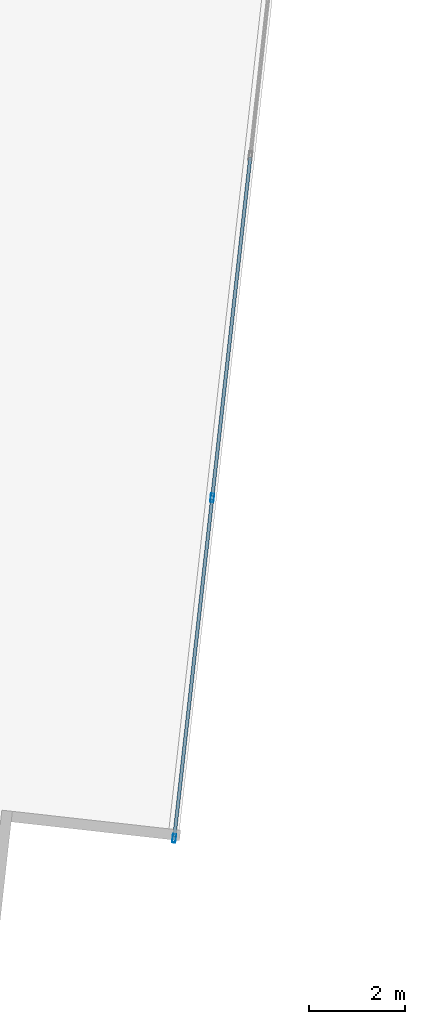
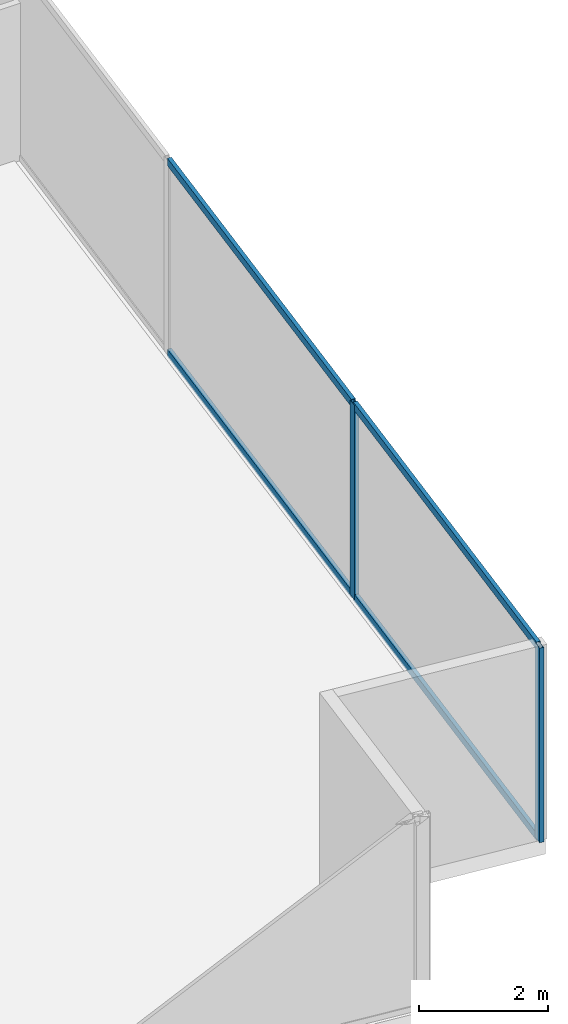
# One storey, part 12 of 31: 6 members, 1 element without a shape of its own.
"""IFC4 building model written with IfcOpenShell, lengths in metres."""

from ifc_helpers import new_model, si_unit, direction, frame, origin, origin_2d, place, context, subcontext, project, spatial, hollow_rectangle, extrude, source, transform, mapped, material, material_profile, profile_set, type_object, type_shapes, element, aggregate, save


model = new_model("IFC4")

# Units and contexts
model_context = context("Model", 3, precision=1e-05, world=origin(), true_north=direction((0.0, 1.0)))
body_context = subcontext(model_context, "Body", "Model", "MODEL_VIEW")
ifc_project = project(units=[si_unit("LENGTHUNIT", "METRE"), si_unit("AREAUNIT", "SQUARE_METRE"), si_unit("VOLUMEUNIT", "CUBIC_METRE"), si_unit("PLANEANGLEUNIT", "RADIAN"), si_unit("MASSUNIT", "GRAM", prefix="KILO")], contexts=[model_context])

# Site, building, storey
site_placement = place(None, origin())
site = spatial("IfcSite", under=ifc_project, at=site_placement, CompositionType="ELEMENT")
building_placement = place(site_placement, origin())
building = spatial("IfcBuilding", under=site, at=building_placement, Name="Krantzveldt Concourse Tower", CompositionType="ELEMENT")
storey_placement = place(building_placement, frame((0.0, 0.0, 56.60009765625)))
storey = spatial("IfcBuildingStorey", under=building, at=storey_placement, Name="L13", CompositionType="ELEMENT", Elevation=56.60009765625)

# Curtain wall, members
ifc_material = material(Name="Anodised aluminium 6063-T6", Category="aluminium")
curtain_wall_type = type_object("IfcCurtainWallType", Name="CW2", PredefinedType="USERDEFINED", material=ifc_material)
curtain_wall_placement = place(storey_placement, origin())
curtain_wall = element("IfcCurtainWall", 1, at=curtain_wall_placement, inside=storey, type_object=curtain_wall_type, Name="CW-L13-F07", ObjectType="UNITISED CURTAIN WALL", PredefinedType="USERDEFINED")
ifc_material_profile_1 = material_profile(ifc_material, hollow_rectangle(XDim=0.070068359375, YDim=0.179931640625, WallThickness=0.0048828125, at=origin_2d()), Name="Anodised aluminium 6063-T6", Category="aluminium")
ifc_profile_set_1 = profile_set([ifc_material_profile_1], Name="Anodised aluminium 6063-T6 - ALU-MULL 180x70x5")
member_type_1 = type_object("IfcMemberType", Name="CW-MUL-180", PredefinedType="MULLION", material=ifc_profile_set_1)
shared_shape_1 = source(origin(), body_context, "Body", "SweptSolid", [
    extrude(hollow_rectangle(XDim=0.070068359375, YDim=0.179931640625, WallThickness=0.0048828125, at=origin_2d()), origin(), (0.0, 0.0, 1.0), 3.669921875),
])
type_shapes(member_type_1, [shared_shape_1])
member_1_placement = place(storey_placement, frame((58.37255859375, 2.601806640625, 0.0), z_axis=(0.0, 0.0, 1.0), x_axis=(-0.993816458223, 0.111035342863, 0.0)))
member_1 = element("IfcMember", 2, at=member_1_placement, type_object=member_type_1, Name="CW-Z12 mullion 1", PredefinedType="MULLION", context=body_context, shape_type="MappedRepresentation", body=[
    mapped(shared_shape_1, transform((0.0, 0.0, 0.0), x_axis=(1.0, 0.0, 0.0), y_axis=(0.0, 1.0, 0.0), z_axis=(0.0, 0.0, 1.0), scale=1.0)),
])
member_2_placement = place(storey_placement, frame((59.16455078125, 9.689453125, 0.0), z_axis=(0.0, 0.0, 1.0), x_axis=(-0.993816458223, 0.111035342863, 0.0)))
member_2 = element("IfcMember", 3, at=member_2_placement, type_object=member_type_1, Name="CW-Z12 mullion 2", PredefinedType="MULLION", context=body_context, shape_type="MappedRepresentation", body=[
    mapped(shared_shape_1, transform((0.0, 0.0, 0.0), x_axis=(1.0, 0.0, 0.0), y_axis=(0.0, 1.0, 0.0), z_axis=(0.0, 0.0, 1.0), scale=1.0)),
])
ifc_material_profile_2 = material_profile(ifc_material, hollow_rectangle(XDim=0.070068359375, YDim=0.139892578125, WallThickness=0.0048828125, at=origin_2d()), Name="Anodised aluminium 6063-T6", Category="aluminium")
ifc_profile_set_2 = profile_set([ifc_material_profile_2], Name="Anodised aluminium 6063-T6 - ALU-TRAN 140x70x5")
member_type_2 = type_object("IfcMemberType", Name="CW-TRN-150", PredefinedType="USERDEFINED", material=ifc_profile_set_2)
shared_shape_2 = source(origin(), body_context, "Body", "SweptSolid", [
    extrude(hollow_rectangle(XDim=0.070068359375, YDim=0.139892578125, WallThickness=0.0048828125, at=origin_2d()), origin(), (0.0, 0.0, 1.0), 7.0615234375),
])
member_3_placement = place(storey_placement, frame((58.37646484375, 2.63671875, 0.034912109375), z_axis=(0.111050032763, 0.993814816866, 0.0), x_axis=(-0.993814816866, 0.111050032763, 0.0)))
member_3 = element("IfcMember", 4, at=member_3_placement, type_object=member_type_2, Name="CW-Z12 transom 1.1", ObjectType="TRANSOM", PredefinedType="USERDEFINED", context=body_context, shape_type="MappedRepresentation", body=[
    mapped(shared_shape_2, transform((0.0, 0.0, 0.0), x_axis=(1.0, 0.0, 0.0), y_axis=(0.0, 1.0, 0.0), z_axis=(0.0, 0.0, 1.0), scale=1.0)),
])
member_4_placement = place(storey_placement, frame((58.37646484375, 2.63671875, 3.635009765625), z_axis=(0.111050032763, 0.993814816866, 0.0), x_axis=(-0.993814816866, 0.111050032763, 0.0)))
member_4 = element("IfcMember", 5, at=member_4_placement, type_object=member_type_2, Name="CW-Z12 transom 1.2", ObjectType="TRANSOM", PredefinedType="USERDEFINED", context=body_context, shape_type="MappedRepresentation", body=[
    mapped(shared_shape_2, transform((0.0, 0.0, 0.0), x_axis=(1.0, 0.0, 0.0), y_axis=(0.0, 1.0, 0.0), z_axis=(0.0, 0.0, 1.0), scale=1.0)),
])
shared_shape_3 = source(origin(), body_context, "Body", "SweptSolid", [
    extrude(hollow_rectangle(XDim=0.070068359375, YDim=0.139892578125, WallThickness=0.0048828125, at=origin_2d()), origin(), (0.0, 0.0, 1.0), 7.0966796875),
])
type_shapes(member_type_2, [shared_shape_2, shared_shape_3])
member_5_placement = place(storey_placement, frame((59.16845703125, 9.72412109375, 0.034912109375), z_axis=(0.111016768449, 0.993818533296, 0.0), x_axis=(-0.993818533296, 0.111016768449, 0.0)))
member_5 = element("IfcMember", 6, at=member_5_placement, type_object=member_type_2, Name="CW-Z12 transom 2.1", ObjectType="TRANSOM", PredefinedType="USERDEFINED", context=body_context, shape_type="MappedRepresentation", body=[
    mapped(shared_shape_3, transform((0.0, 0.0, 0.0), x_axis=(1.0, 0.0, 0.0), y_axis=(0.0, 1.0, 0.0), z_axis=(0.0, 0.0, 1.0), scale=1.0)),
])
member_6_placement = place(storey_placement, frame((59.16845703125, 9.72412109375, 3.635009765625), z_axis=(0.111016768449, 0.993818533296, 0.0), x_axis=(-0.993818533296, 0.111016768449, 0.0)))
member_6 = element("IfcMember", 7, at=member_6_placement, type_object=member_type_2, Name="CW-Z12 transom 2.2", ObjectType="TRANSOM", PredefinedType="USERDEFINED", context=body_context, shape_type="MappedRepresentation", body=[
    mapped(shared_shape_3, transform((0.0, 0.0, 0.0), x_axis=(1.0, 0.0, 0.0), y_axis=(0.0, 1.0, 0.0), z_axis=(0.0, 0.0, 1.0), scale=1.0)),
])
aggregate(curtain_wall, [member_1, member_2, member_3, member_4, member_5, member_6])

save(model, "model.ifc")
